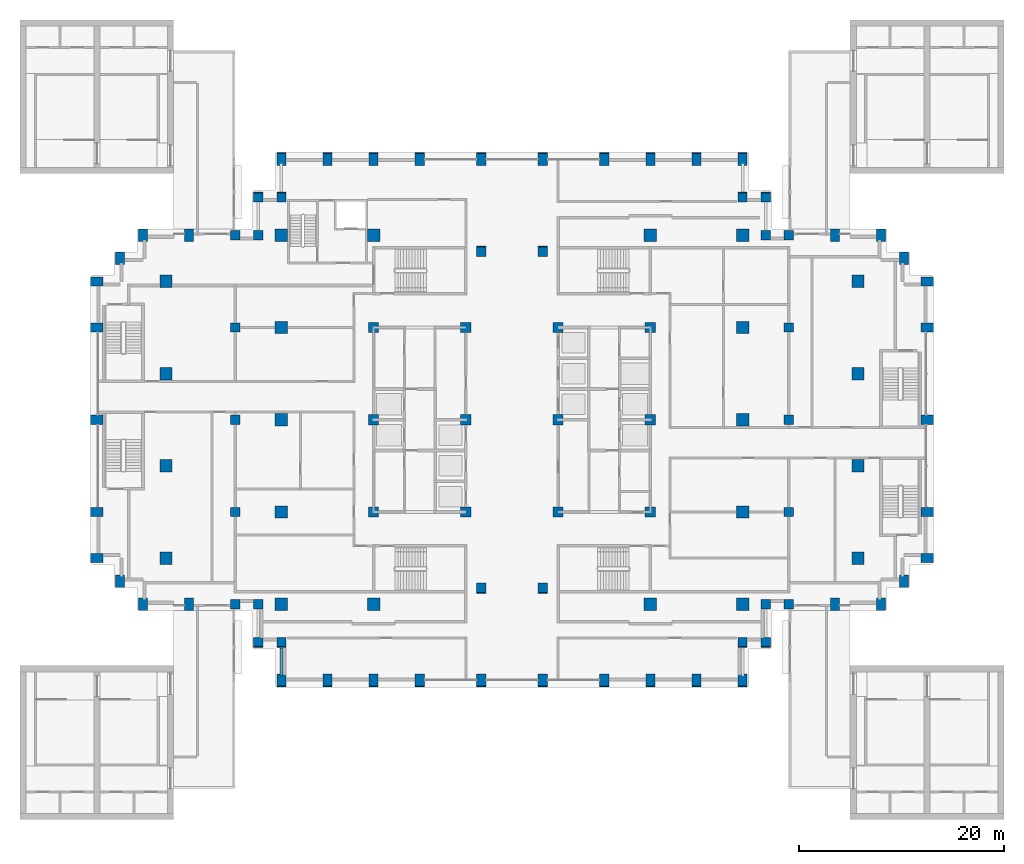
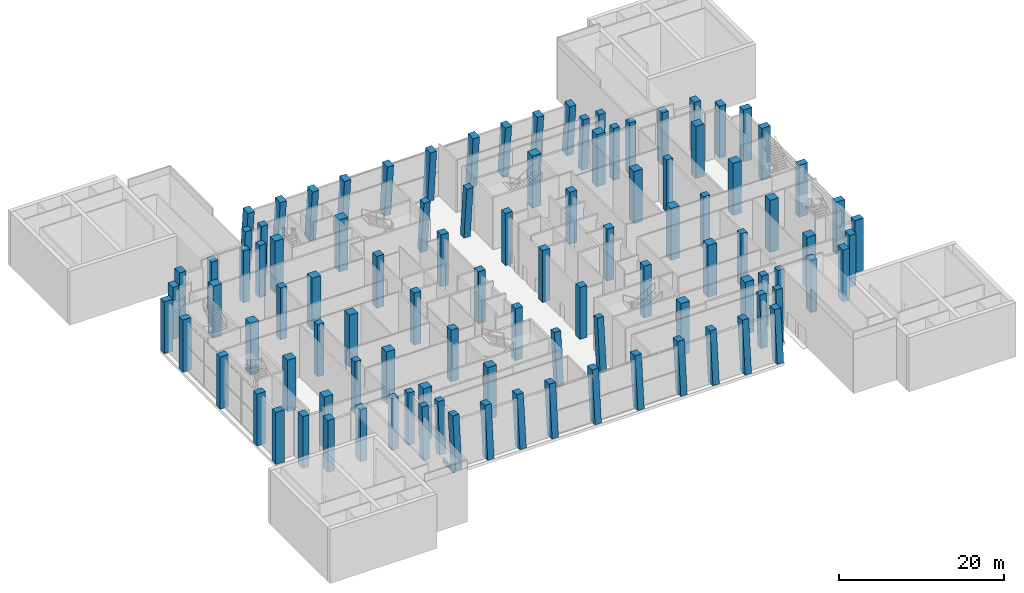
# One storey, part 1 of 24: 102 columns, 1 beam.
"""IFC4 building model written with IfcOpenShell, lengths in metres."""

from ifc_helpers import new_model, si_unit, direction, frame, origin, origin_2d, place, context, subcontext, project, spatial, rectangle, i_section, extrude, material, material_profile, profile_set, type_object, element, save


model = new_model("IFC4")

# Units and contexts
model_context = context("Model", 3, precision=1e-05, world=origin(), true_north=direction((0.0, 1.0)))
body_context = subcontext(model_context, "Body", "Model", "MODEL_VIEW")
ifc_project = project(units=[si_unit("LENGTHUNIT", "METRE"), si_unit("AREAUNIT", "SQUARE_METRE"), si_unit("VOLUMEUNIT", "CUBIC_METRE"), si_unit("PLANEANGLEUNIT", "RADIAN"), si_unit("MASSUNIT", "GRAM", prefix="KILO")], contexts=[model_context])

# Site, building, storey
site_placement = place(None, origin())
site = spatial("IfcSite", under=ifc_project, at=site_placement, CompositionType="ELEMENT")
building_placement = place(site_placement, origin())
building = spatial("IfcBuilding", under=site, at=building_placement, Name="Corbelhall Arena Tower", CompositionType="ELEMENT")
storey_placement = place(building_placement, frame((0.0, 0.0, 60.0)))
storey = spatial("IfcBuildingStorey", under=building, at=storey_placement, Name="L08", CompositionType="ELEMENT", Elevation=60.0)

# Columns
ifc_material_1 = material(Name="Concrete C80/95", Category="concrete")
ifc_material_profile_1 = material_profile(ifc_material_1, rectangle(XDim=1.0, YDim=1.0, at=origin_2d()))
ifc_profile_set_1 = profile_set([ifc_material_profile_1], Name="Concrete C80/95")
column_type_1 = type_object("IfcColumnType", Name="ST-COL-RC 1000x1000", PredefinedType="COLUMN", material=ifc_profile_set_1)
for number, where, z_axis, x_axis, name in (
    (1, (4.5, 0.0, 0.0), (0.0, 0.0, 1.0), (1.0, 0.0, 0.0), "Column KE+0450+0000"),
    (2, (4.5, 9.0, 0.0), (0.0, 0.0, 1.0), (1.0, 0.0, 0.0), "Column KE+0450+0900"),
    (3, (4.5, -9.0, 0.0), (0.0, 0.0, 1.0), (1.0, 0.0, 0.0), "Column KE+0450-0900"),
    (4, (13.5, 0.0, 0.0), (0.0, 0.0, 1.0), (1.0, 0.0, 0.0), "Column KE+1350+0000"),
    (5, (13.5, 9.0, 0.0), (0.0, 0.0, 1.0), (1.0, 0.0, 0.0), "Column KE+1350+0900"),
    (6, (13.5, -9.0, 0.0), (0.0, 0.0, 1.0), (1.0, 0.0, 0.0), "Column KE+1350-0900"),
    (7, (-4.5, 0.0, 0.0), (0.0, 0.0, 1.0), (1.0, 0.0, 0.0), "Column KW-0450+0000"),
    (8, (-4.5, 9.0, 0.0), (0.0, 0.0, 1.0), (1.0, 0.0, 0.0), "Column KW-0450+0900"),
    (9, (-4.5, -9.0, 0.0), (0.0, 0.0, 1.0), (1.0, 0.0, 0.0), "Column KW-0450-0900"),
    (10, (-13.5, 0.0, 0.0), (0.0, 0.0, 1.0), (1.0, 0.0, 0.0), "Column KW-1350+0000"),
    (11, (-13.5, 9.0, 0.0), (0.0, 0.0, 1.0), (1.0, 0.0, 0.0), "Column KW-1350+0900"),
    (12, (-13.5, -9.0, 0.0), (0.0, 0.0, 1.0), (1.0, 0.0, 0.0), "Column KW-1350-0900"),
):
    element("IfcColumn", number, at=place(storey_placement, frame(where, z_axis=z_axis, x_axis=x_axis)), inside=storey, type_object=column_type_1, Name=name, PredefinedType="COLUMN", context=body_context, shape_type="SweptSolid", body=[
        extrude(rectangle(XDim=1.0, YDim=1.0, at=origin_2d()), origin(), (0.0, 0.0, 1.0), 7.699951171875),
    ])
ifc_material_profile_2 = material_profile(ifc_material_1, rectangle(XDim=1.199951171875, YDim=1.199951171875, at=origin_2d()))
ifc_profile_set_2 = profile_set([ifc_material_profile_2], Name="Concrete C80/95")
column_type_2 = type_object("IfcColumnType", Name="ST-COL-RC 1200x1200", PredefinedType="COLUMN", material=ifc_profile_set_2)
for number, where, z_axis, x_axis, name in (
    (13, (-33.75, 4.5, 0.0), (0.0, 0.0, 1.0), (1.0, 0.0, 0.0), "Column FIC+0450"),
    (14, (-33.75, 13.5, 0.0), (0.0, 0.0, 1.0), (1.0, 0.0, 0.0), "Column FIC+1350"),
    (15, (-33.75, -4.5, 0.0), (0.0, 0.0, 1.0), (1.0, 0.0, 0.0), "Column FIC-0450"),
    (16, (-33.75, -13.5, 0.0), (0.0, 0.0, 1.0), (1.0, 0.0, 0.0), "Column FIC-1350"),
    (17, (33.75, 4.5, 0.0), (0.0, 0.0, 1.0), (1.0, 0.0, 0.0), "Column FID+0450"),
    (18, (33.75, 13.5, 0.0), (0.0, 0.0, 1.0), (1.0, 0.0, 0.0), "Column FID+1350"),
    (19, (33.75, -4.5, 0.0), (0.0, 0.0, 1.0), (1.0, 0.0, 0.0), "Column FID-0450"),
    (20, (33.75, -13.5, 0.0), (0.0, 0.0, 1.0), (1.0, 0.0, 0.0), "Column FID-1350"),
    (21, (13.5, 18.0, 0.0), (0.0, 0.0, 1.0), (1.0, 0.0, 0.0), "Column IE13+1800"),
    (22, (13.5, -18.0, 0.0), (0.0, 0.0, 1.0), (1.0, 0.0, 0.0), "Column IE13-1800"),
    (23, (22.5, 0.0, 0.0), (0.0, 0.0, 1.0), (1.0, 0.0, 0.0), "Column IE22+0000"),
    (24, (22.5, 9.0, 0.0), (0.0, 0.0, 1.0), (1.0, 0.0, 0.0), "Column IE22+0900"),
    (25, (22.5, 18.0, 0.0), (0.0, 0.0, 1.0), (1.0, 0.0, 0.0), "Column IE22+1800"),
    (26, (22.5, -9.0, 0.0), (0.0, 0.0, 1.0), (1.0, 0.0, 0.0), "Column IE22-0900"),
    (27, (22.5, -18.0, 0.0), (0.0, 0.0, 1.0), (1.0, 0.0, 0.0), "Column IE22-1800"),
    (28, (-13.5, 18.0, 0.0), (0.0, 0.0, 1.0), (1.0, 0.0, 0.0), "Column IW13+1800"),
    (29, (-13.5, -18.0, 0.0), (0.0, 0.0, 1.0), (1.0, 0.0, 0.0), "Column IW13-1800"),
    (30, (-22.5, 0.0, 0.0), (0.0, 0.0, 1.0), (1.0, 0.0, 0.0), "Column IW22+0000"),
    (31, (-22.5, 9.0, 0.0), (0.0, 0.0, 1.0), (1.0, 0.0, 0.0), "Column IW22+0900"),
    (32, (-22.5, 18.0, 0.0), (0.0, 0.0, 1.0), (1.0, 0.0, 0.0), "Column IW22+1800"),
    (33, (-22.5, -9.0, 0.0), (0.0, 0.0, 1.0), (1.0, 0.0, 0.0), "Column IW22-0900"),
    (34, (-22.5, -18.0, 0.0), (0.0, 0.0, 1.0), (1.0, 0.0, 0.0), "Column IW22-1800"),
):
    element("IfcColumn", number, at=place(storey_placement, frame(where, z_axis=z_axis, x_axis=x_axis)), inside=storey, type_object=column_type_2, Name=name, PredefinedType="COLUMN", context=body_context, shape_type="SweptSolid", body=[
        extrude(rectangle(XDim=1.199951171875, YDim=1.199951171875, at=origin_2d()), origin(), (0.0, 0.0, 1.0), 7.699951171875),
    ])
ifc_material_profile_3 = material_profile(ifc_material_1, rectangle(XDim=0.89990234375, YDim=1.199951171875, at=origin_2d()))
ifc_profile_set_3 = profile_set([ifc_material_profile_3], Name="Concrete C80/95")
column_type_3 = type_object("IfcColumnType", Name="ST-COL-RC 900x1200", PredefinedType="COLUMN", material=ifc_profile_set_3)
for number, where, z_axis, x_axis, name in (
    (35, (-40.5, 0.0, 0.0), (0.0, 0.0, 1.0), (0.0, 1.0, 0.0), "Column FC+0000"),
    (36, (-40.5, 9.0, 0.0), (0.0, 0.0, 1.0), (0.0, 1.0, 0.0), "Column FC+0900"),
    (37, (-40.5, 13.5, 0.0), (0.0, 0.0, 1.0), (0.0, 1.0, 0.0), "Column FC+1350"),
    (38, (-40.5, -9.0, 0.0), (0.0, 0.0, 1.0), (0.0, 1.0, 0.0), "Column FC-0900"),
    (39, (-40.5, -13.5, 0.0), (0.0, 0.0, 1.0), (0.0, 1.0, 0.0), "Column FC-1350"),
    (40, (-38.25, 15.75, 0.0), (0.0, 0.0, 1.0), (1.0, 0.0, 0.0), "Column FCCN"),
    (41, (-38.25, -15.75, 0.0), (0.0, 0.0, 1.0), (1.0, 0.0, 0.0), "Column FCCS"),
    (42, (-31.5, 18.0, 0.0), (0.0, 0.0, 1.0), (1.0, 0.0, 0.0), "Column FCN3150"),
    (43, (-36.0, 18.0, 0.0), (0.0, 0.0, 1.0), (1.0, 0.0, 0.0), "Column FCN3600"),
    (44, (-31.5, -18.0, 0.0), (0.0, 0.0, 1.0), (1.0, 0.0, 0.0), "Column FCS3150"),
    (45, (-36.0, -18.0, 0.0), (0.0, 0.0, 1.0), (1.0, 0.0, 0.0), "Column FCS3600"),
    (46, (40.5, 0.0, 0.0), (0.0, 0.0, 1.0), (0.0, 1.0, 0.0), "Column FD+0000"),
    (47, (40.5, 9.0, 0.0), (0.0, 0.0, 1.0), (0.0, 1.0, 0.0), "Column FD+0900"),
    (48, (40.5, 13.5, 0.0), (0.0, 0.0, 1.0), (0.0, 1.0, 0.0), "Column FD+1350"),
    (49, (40.5, -9.0, 0.0), (0.0, 0.0, 1.0), (0.0, 1.0, 0.0), "Column FD-0900"),
    (50, (40.5, -13.5, 0.0), (0.0, 0.0, 1.0), (0.0, 1.0, 0.0), "Column FD-1350"),
    (51, (38.25, 15.75, 0.0), (0.0, 0.0, 1.0), (1.0, 0.0, 0.0), "Column FDCN"),
    (52, (38.25, -15.75, 0.0), (0.0, 0.0, 1.0), (1.0, 0.0, 0.0), "Column FDCS"),
    (53, (31.5, 18.0, 0.0), (0.0, 0.0, 1.0), (1.0, 0.0, 0.0), "Column FDN3150"),
    (54, (36.0, 18.0, 0.0), (0.0, 0.0, 1.0), (1.0, 0.0, 0.0), "Column FDN3600"),
    (55, (31.5, -18.0, 0.0), (0.0, 0.0, 1.0), (1.0, 0.0, 0.0), "Column FDS3150"),
    (56, (36.0, -18.0, 0.0), (0.0, 0.0, 1.0), (1.0, 0.0, 0.0), "Column FDS3600"),
):
    element("IfcColumn", number, at=place(storey_placement, frame(where, z_axis=z_axis, x_axis=x_axis)), inside=storey, type_object=column_type_3, Name=name, PredefinedType="COLUMN", context=body_context, shape_type="SweptSolid", body=[
        extrude(rectangle(XDim=0.89990234375, YDim=1.199951171875, at=origin_2d()), origin(), (0.0, 0.0, 1.0), 7.699951171875),
    ])
for number, where, z_axis, x_axis, name in (
    (57, (3.0, 25.5, 0.0), (0.0, -0.090530051904, 0.9958937241), (1.0, 0.0, 0.0), "Column PNE0300"),
    (58, (9.0, 25.5, 0.0), (0.0, -0.090530051904, 0.9958937241), (1.0, 0.0, 0.0), "Column PNE0900"),
    (59, (13.5, 25.5, 0.0), (0.0, -0.090530051904, 0.9958937241), (1.0, 0.0, 0.0), "Column PNE1350"),
    (60, (18.0, 25.5, 0.0), (0.0, -0.090530051904, 0.9958937241), (1.0, 0.0, 0.0), "Column PNE1800"),
    (61, (22.5, 25.5, 0.0), (0.0, -0.090530051904, 0.9958937241), (1.0, 0.0, 0.0), "Column PNE2250"),
    (62, (-3.0, 25.5, 0.0), (0.0, -0.090530051904, 0.9958937241), (1.0, 0.0, 0.0), "Column PNW0300"),
    (63, (-9.0, 25.5, 0.0), (0.0, -0.090530051904, 0.9958937241), (1.0, 0.0, 0.0), "Column PNW0900"),
    (64, (-13.5, 25.5, 0.0), (0.0, -0.090530051904, 0.9958937241), (1.0, 0.0, 0.0), "Column PNW1350"),
    (65, (-18.0, 25.5, 0.0), (0.0, -0.090530051904, 0.9958937241), (1.0, 0.0, 0.0), "Column PNW1800"),
    (66, (-22.5, 25.5, 0.0), (0.0, -0.090530051904, 0.9958937241), (1.0, 0.0, 0.0), "Column PNW2250"),
    (67, (3.0, -25.5, 0.0), (0.0, 0.090530051904, 0.9958937241), (-1.0, 0.0, 0.0), "Column PSE0300"),
    (68, (9.0, -25.5, 0.0), (0.0, 0.090530051904, 0.9958937241), (-1.0, 0.0, 0.0), "Column PSE0900"),
    (69, (13.5, -25.5, 0.0), (0.0, 0.090530051904, 0.9958937241), (-1.0, 0.0, 0.0), "Column PSE1350"),
    (70, (18.0, -25.5, 0.0), (0.0, 0.090530051904, 0.9958937241), (-1.0, 0.0, 0.0), "Column PSE1800"),
    (71, (22.5, -25.5, 0.0), (0.0, 0.090530051904, 0.9958937241), (-1.0, 0.0, 0.0), "Column PSE2250"),
    (72, (-3.0, -25.5, 0.0), (0.0, 0.090530051904, 0.9958937241), (-1.0, 0.0, 0.0), "Column PSW0300"),
    (73, (-9.0, -25.5, 0.0), (0.0, 0.090530051904, 0.9958937241), (-1.0, 0.0, 0.0), "Column PSW0900"),
    (74, (-13.5, -25.5, 0.0), (0.0, 0.090530051904, 0.9958937241), (-1.0, 0.0, 0.0), "Column PSW1350"),
    (75, (-18.0, -25.5, 0.0), (0.0, 0.090530051904, 0.9958937241), (-1.0, 0.0, 0.0), "Column PSW1800"),
    (76, (-22.5, -25.5, 0.0), (0.0, 0.090530051904, 0.9958937241), (-1.0, 0.0, 0.0), "Column PSW2250"),
):
    element("IfcColumn", number, at=place(storey_placement, frame(where, z_axis=z_axis, x_axis=x_axis)), inside=storey, type_object=column_type_3, Name=name, PredefinedType="COLUMN", context=body_context, shape_type="SweptSolid", body=[
        extrude(rectangle(XDim=0.89990234375, YDim=1.199951171875, at=origin_2d()), origin(), (0.0, 0.0, 1.0), 7.731689453125),
    ])
ifc_material_profile_4 = material_profile(ifc_material_1, rectangle(XDim=0.89990234375, YDim=0.89990234375, at=origin_2d()))
ifc_profile_set_4 = profile_set([ifc_material_profile_4], Name="Concrete C80/95")
column_type_4 = type_object("IfcColumnType", Name="ST-COL-RC 900x900", PredefinedType="COLUMN", material=ifc_profile_set_4)
for number, where, z_axis, x_axis, name in (
    (77, (27.0, 0.0, 0.0), (0.0, 0.0, 1.0), (1.0, 0.0, 0.0), "Column PE+0000"),
    (78, (27.0, 9.0, 0.0), (0.0, 0.0, 1.0), (1.0, 0.0, 0.0), "Column PE+0900"),
    (79, (27.0, 18.0, 0.0), (0.0, 0.0, 1.0), (1.0, 0.0, 0.0), "Column PE+1800"),
    (80, (27.0, -9.0, 0.0), (0.0, 0.0, 1.0), (1.0, 0.0, 0.0), "Column PE-0900"),
    (81, (27.0, -18.0, 0.0), (0.0, 0.0, 1.0), (1.0, 0.0, 0.0), "Column PE-1800"),
    (82, (-27.0, 0.0, 0.0), (0.0, 0.0, 1.0), (1.0, 0.0, 0.0), "Column PW+0000"),
    (83, (-27.0, 9.0, 0.0), (0.0, 0.0, 1.0), (1.0, 0.0, 0.0), "Column PW+0900"),
    (84, (-27.0, 18.0, 0.0), (0.0, 0.0, 1.0), (1.0, 0.0, 0.0), "Column PW+1800"),
    (85, (-27.0, -9.0, 0.0), (0.0, 0.0, 1.0), (1.0, 0.0, 0.0), "Column PW-0900"),
    (86, (-27.0, -18.0, 0.0), (0.0, 0.0, 1.0), (1.0, 0.0, 0.0), "Column PW-1800"),
):
    element("IfcColumn", number, at=place(storey_placement, frame(where, z_axis=z_axis, x_axis=x_axis)), inside=storey, type_object=column_type_4, Name=name, PredefinedType="COLUMN", context=body_context, shape_type="SweptSolid", body=[
        extrude(rectangle(XDim=0.89990234375, YDim=0.89990234375, at=origin_2d()), origin(), (0.0, 0.0, 1.0), 7.699951171875),
    ])
for number, where, z_axis, x_axis, name in (
    (87, (3.0, 16.5, 0.0), (0.0, -0.090530051904, 0.9958937241), (1.0, 0.0, 0.0), "Column SLNE2"),
    (88, (-3.0, 16.5, 0.0), (0.0, -0.090530051904, 0.9958937241), (1.0, 0.0, 0.0), "Column SLNW2"),
    (89, (3.0, -16.5, 0.0), (0.0, 0.090530051904, 0.9958937241), (-1.0, 0.0, 0.0), "Column SLSE2"),
    (90, (-3.0, -16.5, 0.0), (0.0, 0.090530051904, 0.9958937241), (-1.0, 0.0, 0.0), "Column SLSW2"),
):
    element("IfcColumn", number, at=place(storey_placement, frame(where, z_axis=z_axis, x_axis=x_axis)), inside=storey, type_object=column_type_4, Name=name, PredefinedType="COLUMN", context=body_context, shape_type="SweptSolid", body=[
        extrude(rectangle(XDim=0.89990234375, YDim=0.89990234375, at=origin_2d()), origin(), (0.0, 0.0, 1.0), 7.731689453125),
    ])
for number, where, z_axis, x_axis, name in (
    (91, (22.5, 21.75, 0.0), (0.0, -0.045420591765, 0.998967952361), (1.0, 0.0, 0.0), "Column XNE1"),
    (92, (24.75, 21.75, 0.0), (0.0, -0.045420591765, 0.998967952361), (1.0, 0.0, 0.0), "Column XNE2"),
):
    element("IfcColumn", number, at=place(storey_placement, frame(where, z_axis=z_axis, x_axis=x_axis)), inside=storey, type_object=column_type_4, Name=name, PredefinedType="COLUMN", context=body_context, shape_type="SweptSolid", body=[
        extrude(rectangle(XDim=0.89990234375, YDim=0.89990234375, at=origin_2d()), origin(), (0.0, 0.0, 1.0), 7.7080078125),
    ])
column_1_placement = place(storey_placement, frame((24.75, 18.0, 0.0), z_axis=(0.0, 0.0, 1.0), x_axis=(1.0, 0.0, 0.0)))
element("IfcColumn", 93, at=column_1_placement, inside=storey, type_object=column_type_4, Name="Column XNE3", PredefinedType="COLUMN", context=body_context, shape_type="SweptSolid", body=[
    extrude(rectangle(XDim=0.89990234375, YDim=0.89990234375, at=origin_2d()), origin(), (0.0, 0.0, 1.0), 7.699951171875),
])
for number, where, z_axis, x_axis, name in (
    (94, (-22.5, 21.75, 0.0), (0.0, -0.045420591765, 0.998967952361), (1.0, 0.0, 0.0), "Column XNW1"),
    (95, (-24.75, 21.75, 0.0), (0.0, -0.045420591765, 0.998967952361), (1.0, 0.0, 0.0), "Column XNW2"),
):
    element("IfcColumn", number, at=place(storey_placement, frame(where, z_axis=z_axis, x_axis=x_axis)), inside=storey, type_object=column_type_4, Name=name, PredefinedType="COLUMN", context=body_context, shape_type="SweptSolid", body=[
        extrude(rectangle(XDim=0.89990234375, YDim=0.89990234375, at=origin_2d()), origin(), (0.0, 0.0, 1.0), 7.7080078125),
    ])
column_2_placement = place(storey_placement, frame((-24.75, 18.0, 0.0), z_axis=(0.0, 0.0, 1.0), x_axis=(1.0, 0.0, 0.0)))
element("IfcColumn", 96, at=column_2_placement, inside=storey, type_object=column_type_4, Name="Column XNW3", PredefinedType="COLUMN", context=body_context, shape_type="SweptSolid", body=[
    extrude(rectangle(XDim=0.89990234375, YDim=0.89990234375, at=origin_2d()), origin(), (0.0, 0.0, 1.0), 7.699951171875),
])
for number, where, z_axis, x_axis, name in (
    (97, (22.5, -21.75, 0.0), (0.0, 0.045420591765, 0.998967952361), (-1.0, 0.0, 0.0), "Column XSE1"),
    (98, (24.75, -21.75, 0.0), (0.0, 0.045420591765, 0.998967952361), (-1.0, 0.0, 0.0), "Column XSE2"),
):
    element("IfcColumn", number, at=place(storey_placement, frame(where, z_axis=z_axis, x_axis=x_axis)), inside=storey, type_object=column_type_4, Name=name, PredefinedType="COLUMN", context=body_context, shape_type="SweptSolid", body=[
        extrude(rectangle(XDim=0.89990234375, YDim=0.89990234375, at=origin_2d()), origin(), (0.0, 0.0, 1.0), 7.7080078125),
    ])
column_3_placement = place(storey_placement, frame((24.75, -18.0, 0.0), z_axis=(0.0, 0.0, 1.0), x_axis=(1.0, 0.0, 0.0)))
element("IfcColumn", 99, at=column_3_placement, inside=storey, type_object=column_type_4, Name="Column XSE3", PredefinedType="COLUMN", context=body_context, shape_type="SweptSolid", body=[
    extrude(rectangle(XDim=0.89990234375, YDim=0.89990234375, at=origin_2d()), origin(), (0.0, 0.0, 1.0), 7.699951171875),
])
for number, where, z_axis, x_axis, name in (
    (100, (-22.5, -21.75, 0.0), (0.0, 0.045420591765, 0.998967952361), (-1.0, 0.0, 0.0), "Column XSW1"),
    (101, (-24.75, -21.75, 0.0), (0.0, 0.045420591765, 0.998967952361), (-1.0, 0.0, 0.0), "Column XSW2"),
):
    element("IfcColumn", number, at=place(storey_placement, frame(where, z_axis=z_axis, x_axis=x_axis)), inside=storey, type_object=column_type_4, Name=name, PredefinedType="COLUMN", context=body_context, shape_type="SweptSolid", body=[
        extrude(rectangle(XDim=0.89990234375, YDim=0.89990234375, at=origin_2d()), origin(), (0.0, 0.0, 1.0), 7.7080078125),
    ])
column_4_placement = place(storey_placement, frame((-24.75, -18.0, 0.0), z_axis=(0.0, 0.0, 1.0), x_axis=(1.0, 0.0, 0.0)))
element("IfcColumn", 102, at=column_4_placement, inside=storey, type_object=column_type_4, Name="Column XSW3", PredefinedType="COLUMN", context=body_context, shape_type="SweptSolid", body=[
    extrude(rectangle(XDim=0.89990234375, YDim=0.89990234375, at=origin_2d()), origin(), (0.0, 0.0, 1.0), 7.699951171875),
])

# Beam
ifc_material_2 = material(Name="Steel ASTM A992 Gr50", Category="steel")
ifc_material_profile_5 = material_profile(ifc_material_2, i_section(OverallWidth=0.23046875, OverallDepth=0.6171875, WebThickness=0.01318359375, FlangeThickness=0.022216796875, at=origin_2d()))
ifc_profile_set_5 = profile_set([ifc_material_profile_5], Name="Steel ASTM A992 Gr50")
beam_type = type_object("IfcBeamType", Name="ST-SPANDREL-W24x94", PredefinedType="SPANDREL", material=ifc_profile_set_5)
beam_placement = place(storey_placement, frame((-22.5, -25.0, -0.718505859375), z_axis=(0.0, 1.0, 0.0), x_axis=(-1.0, 0.0, 0.0)))
element("IfcBeam", 103, at=beam_placement, inside=storey, type_object=beam_type, Name="Beam SP 36", PredefinedType="SPANDREL", context=body_context, shape_type="SweptSolid", body=[
    extrude(i_section(OverallWidth=0.23046875, OverallDepth=0.6171875, WebThickness=0.01318359375, FlangeThickness=0.022216796875, at=origin_2d()), origin(), (0.0, 0.0, 1.0), 2.75),
])

save(model, "model.ifc")
